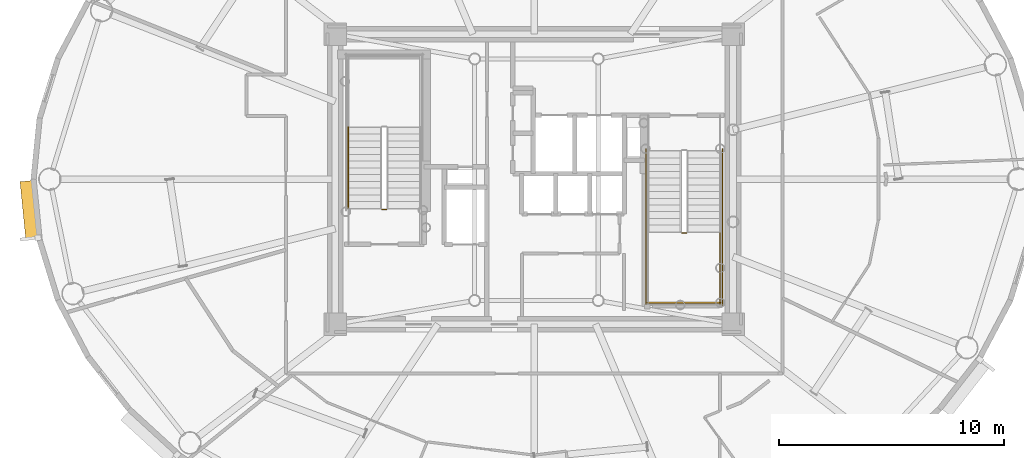
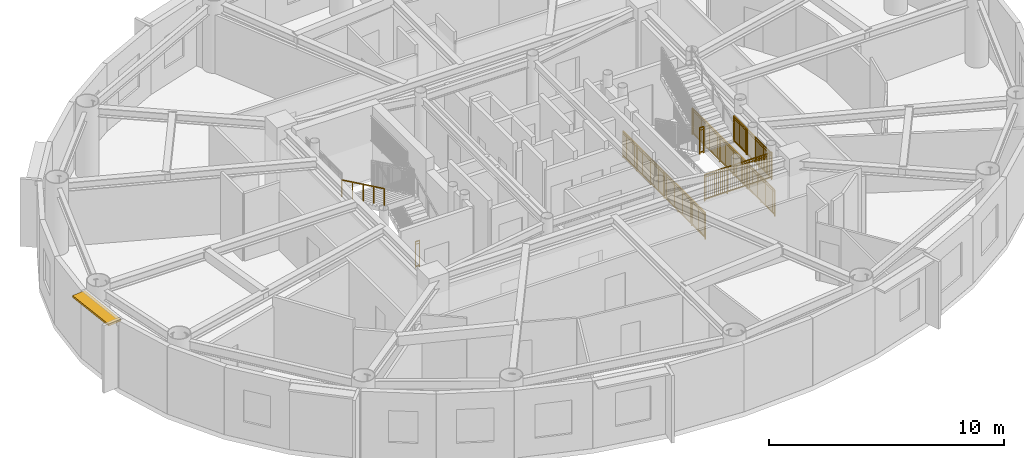
# One storey, part 12 of 16: 7 railings, 1 shading device.
"""IFC4 building model written with IfcOpenShell, lengths in metres."""

from ifc_helpers import new_model, si_unit, direction, frame, origin, origin_2d, place, context, subcontext, project, spatial, rectangle, extrude, source, transform, mapped, material, layer, layer_set, type_object, element, save


model = new_model("IFC4")

# Units and contexts
model_context = context("Model", 3, precision=1e-05, world=origin(), true_north=direction((0.0, 1.0)))
body_context = subcontext(model_context, "Body", "Model", "MODEL_VIEW")
ifc_project = project(units=[si_unit("LENGTHUNIT", "METRE"), si_unit("AREAUNIT", "SQUARE_METRE"), si_unit("VOLUMEUNIT", "CUBIC_METRE"), si_unit("PLANEANGLEUNIT", "RADIAN"), si_unit("MASSUNIT", "GRAM", prefix="KILO")], contexts=[model_context])

# Site, building, storey
site_placement = place(None, origin())
site = spatial("IfcSite", under=ifc_project, at=site_placement, CompositionType="ELEMENT")
building_placement = place(site_placement, origin())
building = spatial("IfcBuilding", under=site, at=building_placement, Name="Linh Dai School and Residence Tower", CompositionType="ELEMENT")
storey_placement = place(building_placement, frame((0.0, 0.0, 306.75)))
storey = spatial("IfcBuildingStorey", under=building, at=storey_placement, Name="L76", CompositionType="ELEMENT", Elevation=306.75)

# Shading device
ifc_material_1 = material(Name="Terracotta Ceramic Sunshade", Category="masonry")
ifc_layer = layer(ifc_material_1, 0.10009765625)
ifc_layer_set = layer_set([ifc_layer], Name="Terracotta Ceramic Sunshade")
shading_device_type = type_object("IfcShadingDeviceType", Name="SHD-TC-650", PredefinedType="USERDEFINED", material=ifc_layer_set)
shared_shape_1 = source(origin(), body_context, "Body", "SweptSolid", [
    extrude(rectangle(XDim=2.62353515625, YDim=0.64990234375, at=origin_2d()), origin(), (0.0, 0.0, 1.0), 0.10009765625),
])
shading_device_placement = place(storey_placement, frame((13.578125, 25.612060546875, 3.3798828125), z_axis=(0.0, 0.0, 1.0), x_axis=(-0.100008034283, 0.994986629598, 0.0)))
element("IfcShadingDevice", 1, at=shading_device_placement, inside=storey, type_object=shading_device_type, Name="L76 Terracotta Horizontal Sunshade Band 21", ObjectType="SUNSHADE", PredefinedType="USERDEFINED", context=body_context, shape_type="MappedRepresentation", body=[
    mapped(shared_shape_1, transform((0.0, 0.0, 0.0), x_axis=(1.0, 0.0, 0.0), y_axis=(0.0, 1.0, 0.0), z_axis=(0.0, 0.0, 1.0), scale=1.0)),
])

# Railings
ifc_material_2 = material(Name="Structural Steel S355JR", Category="steel")
railing_type_1 = type_object("IfcRailingType", Name="RL-ST-GUARD-1400", PredefinedType="GUARDRAIL", material=ifc_material_2)
shared_shape_2 = source(origin(), body_context, "Body", "SweptSolid", [
    extrude(rectangle(XDim=0.048095703125, YDim=0.048095703125, at=origin_2d()), frame((0.0, 0.0, 1.3759765625), z_axis=(-1.0, 0.0, 0.0), x_axis=(0.0, -1.0, 0.0)), (0.0, 0.0, 1.0), 0.199951171875),
    extrude(rectangle(XDim=0.048095703125, YDim=0.048095703125, at=origin_2d()), frame((0.0, 0.0, 0.10009765625), z_axis=(-1.0, 0.0, 0.0), x_axis=(0.0, -1.0, 0.0)), (0.0, 0.0, 1.0), 0.199951171875),
    extrude(rectangle(XDim=0.030029296875, YDim=0.030029296875, at=origin_2d()), frame((0.0, 0.0, 1.239990234375), z_axis=(-1.0, 0.0, 0.0), x_axis=(0.0, -1.0, 0.0)), (0.0, 0.0, 1.0), 0.199951171875),
    extrude(rectangle(XDim=0.0419921875, YDim=0.0419921875, at=origin_2d()), origin(), (0.0, 0.0, 1.0), 1.3759765625),
    extrude(rectangle(XDim=0.0419921875, YDim=0.0419921875, at=origin_2d()), frame((-0.199951171875, 0.0, 0.0)), (0.0, 0.0, 1.0), 1.3759765625),
])
railing_1_placement = place(storey_placement, frame((29.429931640625, 25.64990234375, 0.0)))
element("IfcRailing", 2, at=railing_1_placement, inside=storey, type_object=railing_type_1, Name="L76 ST1 stair guard 7", PredefinedType="GUARDRAIL", context=body_context, shape_type="MappedRepresentation", body=[
    mapped(shared_shape_2, transform((0.0, 0.0, 0.0), x_axis=(1.0, 0.0, 0.0), y_axis=(0.0, 1.0, 0.0), z_axis=(0.0, 0.0, 1.0), scale=1.0)),
])
ifc_material_3 = material(Name="Brushed Stainless Steel Handrail", Category="steel")
railing_type_2 = type_object("IfcRailingType", Name="RL-ST-HANDRAIL-900", PredefinedType="HANDRAIL", material=ifc_material_3)
shared_shape_3 = source(origin(), body_context, "Body", "SweptSolid", [
    extrude(rectangle(XDim=0.048095703125, YDim=0.048095703125, at=origin_2d()), frame((0.0, 0.0, 0.8759765625), z_axis=(0.0, -0.901262522062, 0.433273431364), x_axis=(1.0, 0.0, 0.0)), (0.0, 0.0, 1.0), 3.994384765625),
    extrude(rectangle(XDim=0.0419921875, YDim=0.0419921875, at=origin_2d()), origin(), (0.0, 0.0, 1.0), 0.8759765625),
    extrude(rectangle(XDim=0.0419921875, YDim=0.0419921875, at=origin_2d()), frame((0.0, -0.89990234375, 0.4326171875)), (0.0, 0.0, 1.0), 0.8759765625),
    extrude(rectangle(XDim=0.0419921875, YDim=0.0419921875, at=origin_2d()), frame((0.0, -1.800048828125, 0.865234375)), (0.0, 0.0, 1.0), 0.8759765625),
    extrude(rectangle(XDim=0.0419921875, YDim=0.0419921875, at=origin_2d()), frame((0.0, -2.7001953125, 1.298095703125)), (0.0, 0.0, 1.0), 0.8759765625),
    extrude(rectangle(XDim=0.0419921875, YDim=0.0419921875, at=origin_2d()), frame((0.0, -3.60009765625, 1.730712890625)), (0.0, 0.0, 1.0), 0.8759765625),
])
railing_2_placement = place(storey_placement, frame((27.72998046875, 29.300048828125, 2.019287109375)))
element("IfcRailing", 3, at=railing_2_placement, inside=storey, type_object=railing_type_2, Name="L76 ST1 stair handrail 2", PredefinedType="HANDRAIL", context=body_context, shape_type="MappedRepresentation", body=[
    mapped(shared_shape_3, transform((0.0, 0.0, 0.0), x_axis=(1.0, 0.0, 0.0), y_axis=(0.0, 1.0, 0.0), z_axis=(0.0, 0.0, 1.0), scale=1.0)),
])
shared_shape_4 = source(origin(), body_context, "Body", "SweptSolid", [
    extrude(rectangle(XDim=0.048095703125, YDim=0.048095703125, at=origin_2d()), frame((0.0, 0.0, 1.3759765625), z_axis=(1.0, 0.0, 0.0), x_axis=(0.0, 1.0, 0.0)), (0.0, 0.0, 1.0), 0.199951171875),
    extrude(rectangle(XDim=0.048095703125, YDim=0.048095703125, at=origin_2d()), frame((0.0, 0.0, 0.10009765625), z_axis=(1.0, 0.0, 0.0), x_axis=(0.0, 1.0, 0.0)), (0.0, 0.0, 1.0), 0.199951171875),
    extrude(rectangle(XDim=0.030029296875, YDim=0.030029296875, at=origin_2d()), frame((0.0, 0.0, 1.239990234375), z_axis=(1.0, 0.0, 0.0), x_axis=(0.0, 1.0, 0.0)), (0.0, 0.0, 1.0), 0.199951171875),
    extrude(rectangle(XDim=0.0419921875, YDim=0.0419921875, at=origin_2d()), origin(), (0.0, 0.0, 1.0), 1.3759765625),
    extrude(rectangle(XDim=0.0419921875, YDim=0.0419921875, at=origin_2d()), frame((0.199951171875, 0.0, 0.0)), (0.0, 0.0, 1.0), 1.3759765625),
])
railing_3_placement = place(storey_placement, frame((42.570068359375, 24.60009765625, 1.875)))
element("IfcRailing", 4, at=railing_3_placement, inside=storey, type_object=railing_type_1, Name="L76 ST2 stair guard 2", PredefinedType="GUARDRAIL", context=body_context, shape_type="MappedRepresentation", body=[
    mapped(shared_shape_4, transform((0.0, 0.0, 0.0), x_axis=(1.0, 0.0, 0.0), y_axis=(0.0, 1.0, 0.0), z_axis=(0.0, 0.0, 1.0), scale=1.0)),
])
shared_shape_5 = source(origin(), body_context, "Body", "SweptSolid", [
    extrude(rectangle(XDim=0.048095703125, YDim=0.048095703125, at=origin_2d()), frame((0.0, 0.0, 1.3759765625), z_axis=(1.0, 0.0, 0.0), x_axis=(0.0, 1.0, 0.0)), (0.0, 0.0, 1.0), 3.300048828125),
    extrude(rectangle(XDim=0.048095703125, YDim=0.048095703125, at=origin_2d()), frame((0.0, 0.0, 0.10009765625), z_axis=(1.0, 0.0, 0.0), x_axis=(0.0, 1.0, 0.0)), (0.0, 0.0, 1.0), 3.300048828125),
    extrude(rectangle(XDim=0.030029296875, YDim=0.030029296875, at=origin_2d()), frame((0.0, 0.0, 1.239990234375), z_axis=(1.0, 0.0, 0.0), x_axis=(0.0, 1.0, 0.0)), (0.0, 0.0, 1.0), 3.300048828125),
    extrude(rectangle(XDim=0.02001953125, YDim=0.02001953125, at=origin_2d()), frame((0.09716796875, 0.0, 0.10009765625)), (0.0, 0.0, 1.0), 1.251708984375),
    extrude(rectangle(XDim=0.02001953125, YDim=0.02001953125, at=origin_2d()), frame((0.194091796875, 0.0, 0.10009765625)), (0.0, 0.0, 1.0), 1.251708984375),
    extrude(rectangle(XDim=0.02001953125, YDim=0.02001953125, at=origin_2d()), frame((0.291259765625, 0.0, 0.10009765625)), (0.0, 0.0, 1.0), 1.251708984375),
    extrude(rectangle(XDim=0.02001953125, YDim=0.02001953125, at=origin_2d()), frame((0.38818359375, 0.0, 0.10009765625)), (0.0, 0.0, 1.0), 1.251708984375),
    extrude(rectangle(XDim=0.02001953125, YDim=0.02001953125, at=origin_2d()), frame((0.4853515625, 0.0, 0.10009765625)), (0.0, 0.0, 1.0), 1.251708984375),
    extrude(rectangle(XDim=0.02001953125, YDim=0.02001953125, at=origin_2d()), frame((0.582275390625, 0.0, 0.10009765625)), (0.0, 0.0, 1.0), 1.251708984375),
    extrude(rectangle(XDim=0.02001953125, YDim=0.02001953125, at=origin_2d()), frame((0.679443359375, 0.0, 0.10009765625)), (0.0, 0.0, 1.0), 1.251708984375),
    extrude(rectangle(XDim=0.02001953125, YDim=0.02001953125, at=origin_2d()), frame((0.7763671875, 0.0, 0.10009765625)), (0.0, 0.0, 1.0), 1.251708984375),
    extrude(rectangle(XDim=0.02001953125, YDim=0.02001953125, at=origin_2d()), frame((0.87353515625, 0.0, 0.10009765625)), (0.0, 0.0, 1.0), 1.251708984375),
    extrude(rectangle(XDim=0.02001953125, YDim=0.02001953125, at=origin_2d()), frame((0.970703125, 0.0, 0.10009765625)), (0.0, 0.0, 1.0), 1.251708984375),
    extrude(rectangle(XDim=0.02001953125, YDim=0.02001953125, at=origin_2d()), frame((1.164794921875, 0.0, 0.10009765625)), (0.0, 0.0, 1.0), 1.251708984375),
    extrude(rectangle(XDim=0.02001953125, YDim=0.02001953125, at=origin_2d()), frame((1.26171875, 0.0, 0.10009765625)), (0.0, 0.0, 1.0), 1.251708984375),
    extrude(rectangle(XDim=0.02001953125, YDim=0.02001953125, at=origin_2d()), frame((1.35888671875, 0.0, 0.10009765625)), (0.0, 0.0, 1.0), 1.251708984375),
    extrude(rectangle(XDim=0.02001953125, YDim=0.02001953125, at=origin_2d()), frame((1.455810546875, 0.0, 0.10009765625)), (0.0, 0.0, 1.0), 1.251708984375),
    extrude(rectangle(XDim=0.02001953125, YDim=0.02001953125, at=origin_2d()), frame((1.552978515625, 0.0, 0.10009765625)), (0.0, 0.0, 1.0), 1.251708984375),
    extrude(rectangle(XDim=0.02001953125, YDim=0.02001953125, at=origin_2d()), frame((1.64990234375, 0.0, 0.10009765625)), (0.0, 0.0, 1.0), 1.251708984375),
    extrude(rectangle(XDim=0.02001953125, YDim=0.02001953125, at=origin_2d()), frame((1.7470703125, 0.0, 0.10009765625)), (0.0, 0.0, 1.0), 1.251708984375),
    extrude(rectangle(XDim=0.02001953125, YDim=0.02001953125, at=origin_2d()), frame((1.84423828125, 0.0, 0.10009765625)), (0.0, 0.0, 1.0), 1.251708984375),
    extrude(rectangle(XDim=0.02001953125, YDim=0.02001953125, at=origin_2d()), frame((1.941162109375, 0.0, 0.10009765625)), (0.0, 0.0, 1.0), 1.251708984375),
    extrude(rectangle(XDim=0.02001953125, YDim=0.02001953125, at=origin_2d()), frame((2.038330078125, 0.0, 0.10009765625)), (0.0, 0.0, 1.0), 1.251708984375),
    extrude(rectangle(XDim=0.02001953125, YDim=0.02001953125, at=origin_2d()), frame((2.13525390625, 0.0, 0.10009765625)), (0.0, 0.0, 1.0), 1.251708984375),
    extrude(rectangle(XDim=0.02001953125, YDim=0.02001953125, at=origin_2d()), frame((2.329345703125, 0.0, 0.10009765625)), (0.0, 0.0, 1.0), 1.251708984375),
    extrude(rectangle(XDim=0.02001953125, YDim=0.02001953125, at=origin_2d()), frame((2.426513671875, 0.0, 0.10009765625)), (0.0, 0.0, 1.0), 1.251708984375),
    extrude(rectangle(XDim=0.02001953125, YDim=0.02001953125, at=origin_2d()), frame((2.523681640625, 0.0, 0.10009765625)), (0.0, 0.0, 1.0), 1.251708984375),
    extrude(rectangle(XDim=0.02001953125, YDim=0.02001953125, at=origin_2d()), frame((2.62060546875, 0.0, 0.10009765625)), (0.0, 0.0, 1.0), 1.251708984375),
    extrude(rectangle(XDim=0.02001953125, YDim=0.02001953125, at=origin_2d()), frame((2.7177734375, 0.0, 0.10009765625)), (0.0, 0.0, 1.0), 1.251708984375),
    extrude(rectangle(XDim=0.02001953125, YDim=0.02001953125, at=origin_2d()), frame((2.814697265625, 0.0, 0.10009765625)), (0.0, 0.0, 1.0), 1.251708984375),
    extrude(rectangle(XDim=0.02001953125, YDim=0.02001953125, at=origin_2d()), frame((2.911865234375, 0.0, 0.10009765625)), (0.0, 0.0, 1.0), 1.251708984375),
    extrude(rectangle(XDim=0.02001953125, YDim=0.02001953125, at=origin_2d()), frame((3.0087890625, 0.0, 0.10009765625)), (0.0, 0.0, 1.0), 1.251708984375),
    extrude(rectangle(XDim=0.02001953125, YDim=0.02001953125, at=origin_2d()), frame((3.10595703125, 0.0, 0.10009765625)), (0.0, 0.0, 1.0), 1.251708984375),
    extrude(rectangle(XDim=0.02001953125, YDim=0.02001953125, at=origin_2d()), frame((3.202880859375, 0.0, 0.10009765625)), (0.0, 0.0, 1.0), 1.251708984375),
    extrude(rectangle(XDim=0.0419921875, YDim=0.0419921875, at=origin_2d()), origin(), (0.0, 0.0, 1.0), 1.3759765625),
    extrude(rectangle(XDim=0.0419921875, YDim=0.0419921875, at=origin_2d()), frame((1.10009765625, 0.0, 0.0)), (0.0, 0.0, 1.0), 1.3759765625),
    extrude(rectangle(XDim=0.0419921875, YDim=0.0419921875, at=origin_2d()), frame((2.199951171875, 0.0, 0.0)), (0.0, 0.0, 1.0), 1.3759765625),
    extrude(rectangle(XDim=0.0419921875, YDim=0.0419921875, at=origin_2d()), frame((3.300048828125, 0.0, 0.0)), (0.0, 0.0, 1.0), 1.3759765625),
])
railing_4_placement = place(storey_placement, frame((41.02001953125, 21.5, 1.875)))
element("IfcRailing", 5, at=railing_4_placement, inside=storey, type_object=railing_type_1, Name="L76 ST2 stair guard 5", PredefinedType="GUARDRAIL", context=body_context, shape_type="MappedRepresentation", body=[
    mapped(shared_shape_5, transform((0.0, 0.0, 0.0), x_axis=(1.0, 0.0, 0.0), y_axis=(0.0, 1.0, 0.0), z_axis=(0.0, 0.0, 1.0), scale=1.0)),
])
shared_shape_6 = source(origin(), body_context, "Body", "SweptSolid", [
    extrude(rectangle(XDim=0.048095703125, YDim=0.048095703125, at=origin_2d()), frame((0.0, 0.0, 1.3759765625), z_axis=(0.0, -1.0, 0.0), x_axis=(1.0, 0.0, 0.0)), (0.0, 0.0, 1.0), 7.0),
    extrude(rectangle(XDim=0.048095703125, YDim=0.048095703125, at=origin_2d()), frame((0.0, 0.0, 0.10009765625), z_axis=(0.0, -1.0, 0.0), x_axis=(1.0, 0.0, 0.0)), (0.0, 0.0, 1.0), 7.0),
    extrude(rectangle(XDim=0.030029296875, YDim=0.030029296875, at=origin_2d()), frame((0.0, 0.0, 1.239990234375), z_axis=(0.0, -1.0, 0.0), x_axis=(1.0, 0.0, 0.0)), (0.0, 0.0, 1.0), 7.0),
    extrude(rectangle(XDim=0.02001953125, YDim=0.02001953125, at=origin_2d()), frame((0.0, -0.09716796875, 0.10009765625)), (0.0, 0.0, 1.0), 1.251708984375),
    extrude(rectangle(XDim=0.02001953125, YDim=0.02001953125, at=origin_2d()), frame((0.0, -0.1943359375, 0.10009765625)), (0.0, 0.0, 1.0), 1.251708984375),
    extrude(rectangle(XDim=0.02001953125, YDim=0.02001953125, at=origin_2d()), frame((0.0, -0.291748046875, 0.10009765625)), (0.0, 0.0, 1.0), 1.251708984375),
    extrude(rectangle(XDim=0.02001953125, YDim=0.02001953125, at=origin_2d()), frame((0.0, -0.388916015625, 0.10009765625)), (0.0, 0.0, 1.0), 1.251708984375),
    extrude(rectangle(XDim=0.02001953125, YDim=0.02001953125, at=origin_2d()), frame((0.0, -0.486083984375, 0.10009765625)), (0.0, 0.0, 1.0), 1.251708984375),
    extrude(rectangle(XDim=0.02001953125, YDim=0.02001953125, at=origin_2d()), frame((0.0, -0.583251953125, 0.10009765625)), (0.0, 0.0, 1.0), 1.251708984375),
    extrude(rectangle(XDim=0.02001953125, YDim=0.02001953125, at=origin_2d()), frame((0.0, -0.6806640625, 0.10009765625)), (0.0, 0.0, 1.0), 1.251708984375),
    extrude(rectangle(XDim=0.02001953125, YDim=0.02001953125, at=origin_2d()), frame((0.0, -0.77783203125, 0.10009765625)), (0.0, 0.0, 1.0), 1.251708984375),
    extrude(rectangle(XDim=0.02001953125, YDim=0.02001953125, at=origin_2d()), frame((0.0, -0.875, 0.10009765625)), (0.0, 0.0, 1.0), 1.251708984375),
    extrude(rectangle(XDim=0.02001953125, YDim=0.02001953125, at=origin_2d()), frame((0.0, -0.97216796875, 0.10009765625)), (0.0, 0.0, 1.0), 1.251708984375),
    extrude(rectangle(XDim=0.02001953125, YDim=0.02001953125, at=origin_2d()), frame((0.0, -1.0693359375, 0.10009765625)), (0.0, 0.0, 1.0), 1.251708984375),
    extrude(rectangle(XDim=0.02001953125, YDim=0.02001953125, at=origin_2d()), frame((0.0, -1.263916015625, 0.10009765625)), (0.0, 0.0, 1.0), 1.251708984375),
    extrude(rectangle(XDim=0.02001953125, YDim=0.02001953125, at=origin_2d()), frame((0.0, -1.361083984375, 0.10009765625)), (0.0, 0.0, 1.0), 1.251708984375),
    extrude(rectangle(XDim=0.02001953125, YDim=0.02001953125, at=origin_2d()), frame((0.0, -1.458251953125, 0.10009765625)), (0.0, 0.0, 1.0), 1.251708984375),
    extrude(rectangle(XDim=0.02001953125, YDim=0.02001953125, at=origin_2d()), frame((0.0, -1.5556640625, 0.10009765625)), (0.0, 0.0, 1.0), 1.251708984375),
    extrude(rectangle(XDim=0.02001953125, YDim=0.02001953125, at=origin_2d()), frame((0.0, -1.65283203125, 0.10009765625)), (0.0, 0.0, 1.0), 1.251708984375),
    extrude(rectangle(XDim=0.02001953125, YDim=0.02001953125, at=origin_2d()), frame((0.0, -1.75, 0.10009765625)), (0.0, 0.0, 1.0), 1.251708984375),
    extrude(rectangle(XDim=0.02001953125, YDim=0.02001953125, at=origin_2d()), frame((0.0, -1.84716796875, 0.10009765625)), (0.0, 0.0, 1.0), 1.251708984375),
    extrude(rectangle(XDim=0.02001953125, YDim=0.02001953125, at=origin_2d()), frame((0.0, -1.9443359375, 0.10009765625)), (0.0, 0.0, 1.0), 1.251708984375),
    extrude(rectangle(XDim=0.02001953125, YDim=0.02001953125, at=origin_2d()), frame((0.0, -2.041748046875, 0.10009765625)), (0.0, 0.0, 1.0), 1.251708984375),
    extrude(rectangle(XDim=0.02001953125, YDim=0.02001953125, at=origin_2d()), frame((0.0, -2.138916015625, 0.10009765625)), (0.0, 0.0, 1.0), 1.251708984375),
    extrude(rectangle(XDim=0.02001953125, YDim=0.02001953125, at=origin_2d()), frame((0.0, -2.236083984375, 0.10009765625)), (0.0, 0.0, 1.0), 1.251708984375),
    extrude(rectangle(XDim=0.02001953125, YDim=0.02001953125, at=origin_2d()), frame((0.0, -2.4306640625, 0.10009765625)), (0.0, 0.0, 1.0), 1.251708984375),
    extrude(rectangle(XDim=0.02001953125, YDim=0.02001953125, at=origin_2d()), frame((0.0, -2.52783203125, 0.10009765625)), (0.0, 0.0, 1.0), 1.251708984375),
    extrude(rectangle(XDim=0.02001953125, YDim=0.02001953125, at=origin_2d()), frame((0.0, -2.625, 0.10009765625)), (0.0, 0.0, 1.0), 1.251708984375),
    extrude(rectangle(XDim=0.02001953125, YDim=0.02001953125, at=origin_2d()), frame((0.0, -2.72216796875, 0.10009765625)), (0.0, 0.0, 1.0), 1.251708984375),
    extrude(rectangle(XDim=0.02001953125, YDim=0.02001953125, at=origin_2d()), frame((0.0, -2.8193359375, 0.10009765625)), (0.0, 0.0, 1.0), 1.251708984375),
    extrude(rectangle(XDim=0.02001953125, YDim=0.02001953125, at=origin_2d()), frame((0.0, -2.916748046875, 0.10009765625)), (0.0, 0.0, 1.0), 1.251708984375),
    extrude(rectangle(XDim=0.02001953125, YDim=0.02001953125, at=origin_2d()), frame((0.0, -3.013916015625, 0.10009765625)), (0.0, 0.0, 1.0), 1.251708984375),
    extrude(rectangle(XDim=0.02001953125, YDim=0.02001953125, at=origin_2d()), frame((0.0, -3.111083984375, 0.10009765625)), (0.0, 0.0, 1.0), 1.251708984375),
    extrude(rectangle(XDim=0.02001953125, YDim=0.02001953125, at=origin_2d()), frame((0.0, -3.208251953125, 0.10009765625)), (0.0, 0.0, 1.0), 1.251708984375),
    extrude(rectangle(XDim=0.02001953125, YDim=0.02001953125, at=origin_2d()), frame((0.0, -3.3056640625, 0.10009765625)), (0.0, 0.0, 1.0), 1.251708984375),
    extrude(rectangle(XDim=0.02001953125, YDim=0.02001953125, at=origin_2d()), frame((0.0, -3.40283203125, 0.10009765625)), (0.0, 0.0, 1.0), 1.251708984375),
    extrude(rectangle(XDim=0.02001953125, YDim=0.02001953125, at=origin_2d()), frame((0.0, -3.59716796875, 0.10009765625)), (0.0, 0.0, 1.0), 1.251708984375),
    extrude(rectangle(XDim=0.02001953125, YDim=0.02001953125, at=origin_2d()), frame((0.0, -3.6943359375, 0.10009765625)), (0.0, 0.0, 1.0), 1.251708984375),
    extrude(rectangle(XDim=0.02001953125, YDim=0.02001953125, at=origin_2d()), frame((0.0, -3.791748046875, 0.10009765625)), (0.0, 0.0, 1.0), 1.251708984375),
    extrude(rectangle(XDim=0.02001953125, YDim=0.02001953125, at=origin_2d()), frame((0.0, -3.888916015625, 0.10009765625)), (0.0, 0.0, 1.0), 1.251708984375),
    extrude(rectangle(XDim=0.02001953125, YDim=0.02001953125, at=origin_2d()), frame((0.0, -3.986083984375, 0.10009765625)), (0.0, 0.0, 1.0), 1.251708984375),
    extrude(rectangle(XDim=0.02001953125, YDim=0.02001953125, at=origin_2d()), frame((0.0, -4.083251953125, 0.10009765625)), (0.0, 0.0, 1.0), 1.251708984375),
    extrude(rectangle(XDim=0.02001953125, YDim=0.02001953125, at=origin_2d()), frame((0.0, -4.1806640625, 0.10009765625)), (0.0, 0.0, 1.0), 1.251708984375),
    extrude(rectangle(XDim=0.02001953125, YDim=0.02001953125, at=origin_2d()), frame((0.0, -4.27783203125, 0.10009765625)), (0.0, 0.0, 1.0), 1.251708984375),
    extrude(rectangle(XDim=0.02001953125, YDim=0.02001953125, at=origin_2d()), frame((0.0, -4.375, 0.10009765625)), (0.0, 0.0, 1.0), 1.251708984375),
    extrude(rectangle(XDim=0.02001953125, YDim=0.02001953125, at=origin_2d()), frame((0.0, -4.47216796875, 0.10009765625)), (0.0, 0.0, 1.0), 1.251708984375),
    extrude(rectangle(XDim=0.02001953125, YDim=0.02001953125, at=origin_2d()), frame((0.0, -4.5693359375, 0.10009765625)), (0.0, 0.0, 1.0), 1.251708984375),
    extrude(rectangle(XDim=0.02001953125, YDim=0.02001953125, at=origin_2d()), frame((0.0, -4.763916015625, 0.10009765625)), (0.0, 0.0, 1.0), 1.251708984375),
    extrude(rectangle(XDim=0.02001953125, YDim=0.02001953125, at=origin_2d()), frame((0.0, -4.861083984375, 0.10009765625)), (0.0, 0.0, 1.0), 1.251708984375),
    extrude(rectangle(XDim=0.02001953125, YDim=0.02001953125, at=origin_2d()), frame((0.0, -4.958251953125, 0.10009765625)), (0.0, 0.0, 1.0), 1.251708984375),
    extrude(rectangle(XDim=0.02001953125, YDim=0.02001953125, at=origin_2d()), frame((0.0, -5.0556640625, 0.10009765625)), (0.0, 0.0, 1.0), 1.251708984375),
    extrude(rectangle(XDim=0.02001953125, YDim=0.02001953125, at=origin_2d()), frame((0.0, -5.15283203125, 0.10009765625)), (0.0, 0.0, 1.0), 1.251708984375),
    extrude(rectangle(XDim=0.02001953125, YDim=0.02001953125, at=origin_2d()), frame((0.0, -5.25, 0.10009765625)), (0.0, 0.0, 1.0), 1.251708984375),
    extrude(rectangle(XDim=0.02001953125, YDim=0.02001953125, at=origin_2d()), frame((0.0, -5.34716796875, 0.10009765625)), (0.0, 0.0, 1.0), 1.251708984375),
    extrude(rectangle(XDim=0.02001953125, YDim=0.02001953125, at=origin_2d()), frame((0.0, -5.4443359375, 0.10009765625)), (0.0, 0.0, 1.0), 1.251708984375),
    extrude(rectangle(XDim=0.02001953125, YDim=0.02001953125, at=origin_2d()), frame((0.0, -5.541748046875, 0.10009765625)), (0.0, 0.0, 1.0), 1.251708984375),
    extrude(rectangle(XDim=0.02001953125, YDim=0.02001953125, at=origin_2d()), frame((0.0, -5.638916015625, 0.10009765625)), (0.0, 0.0, 1.0), 1.251708984375),
    extrude(rectangle(XDim=0.02001953125, YDim=0.02001953125, at=origin_2d()), frame((0.0, -5.736083984375, 0.10009765625)), (0.0, 0.0, 1.0), 1.251708984375),
    extrude(rectangle(XDim=0.02001953125, YDim=0.02001953125, at=origin_2d()), frame((0.0, -5.9306640625, 0.10009765625)), (0.0, 0.0, 1.0), 1.251708984375),
    extrude(rectangle(XDim=0.02001953125, YDim=0.02001953125, at=origin_2d()), frame((0.0, -6.02783203125, 0.10009765625)), (0.0, 0.0, 1.0), 1.251708984375),
    extrude(rectangle(XDim=0.02001953125, YDim=0.02001953125, at=origin_2d()), frame((0.0, -6.125, 0.10009765625)), (0.0, 0.0, 1.0), 1.251708984375),
    extrude(rectangle(XDim=0.02001953125, YDim=0.02001953125, at=origin_2d()), frame((0.0, -6.22216796875, 0.10009765625)), (0.0, 0.0, 1.0), 1.251708984375),
    extrude(rectangle(XDim=0.02001953125, YDim=0.02001953125, at=origin_2d()), frame((0.0, -6.3193359375, 0.10009765625)), (0.0, 0.0, 1.0), 1.251708984375),
    extrude(rectangle(XDim=0.02001953125, YDim=0.02001953125, at=origin_2d()), frame((0.0, -6.416748046875, 0.10009765625)), (0.0, 0.0, 1.0), 1.251708984375),
    extrude(rectangle(XDim=0.02001953125, YDim=0.02001953125, at=origin_2d()), frame((0.0, -6.513916015625, 0.10009765625)), (0.0, 0.0, 1.0), 1.251708984375),
    extrude(rectangle(XDim=0.02001953125, YDim=0.02001953125, at=origin_2d()), frame((0.0, -6.611083984375, 0.10009765625)), (0.0, 0.0, 1.0), 1.251708984375),
    extrude(rectangle(XDim=0.02001953125, YDim=0.02001953125, at=origin_2d()), frame((0.0, -6.708251953125, 0.10009765625)), (0.0, 0.0, 1.0), 1.251708984375),
    extrude(rectangle(XDim=0.02001953125, YDim=0.02001953125, at=origin_2d()), frame((0.0, -6.8056640625, 0.10009765625)), (0.0, 0.0, 1.0), 1.251708984375),
    extrude(rectangle(XDim=0.02001953125, YDim=0.02001953125, at=origin_2d()), frame((0.0, -6.90283203125, 0.10009765625)), (0.0, 0.0, 1.0), 1.251708984375),
    extrude(rectangle(XDim=0.0419921875, YDim=0.0419921875, at=origin_2d()), origin(), (0.0, 0.0, 1.0), 1.3759765625),
    extrude(rectangle(XDim=0.0419921875, YDim=0.0419921875, at=origin_2d()), frame((0.0, -1.166748046875, 0.0)), (0.0, 0.0, 1.0), 1.3759765625),
    extrude(rectangle(XDim=0.0419921875, YDim=0.0419921875, at=origin_2d()), frame((0.0, -2.333251953125, 0.0)), (0.0, 0.0, 1.0), 1.3759765625),
    extrude(rectangle(XDim=0.0419921875, YDim=0.0419921875, at=origin_2d()), frame((0.0, -3.5, 0.0)), (0.0, 0.0, 1.0), 1.3759765625),
    extrude(rectangle(XDim=0.0419921875, YDim=0.0419921875, at=origin_2d()), frame((0.0, -4.666748046875, 0.0)), (0.0, 0.0, 1.0), 1.3759765625),
    extrude(rectangle(XDim=0.0419921875, YDim=0.0419921875, at=origin_2d()), frame((0.0, -5.833251953125, 0.0)), (0.0, 0.0, 1.0), 1.3759765625),
    extrude(rectangle(XDim=0.0419921875, YDim=0.0419921875, at=origin_2d()), frame((0.0, -7.0, 0.0)), (0.0, 0.0, 1.0), 1.3759765625),
])
for number, where, name in (
    (6, (40.969970703125, 28.35009765625, 0.0), "L76 ST2 stair guard 10"),
    (7, (44.3701171875, 28.35009765625, 0.0), "L76 ST2 stair guard 11"),
):
    element("IfcRailing", number, at=place(storey_placement, frame(where)), inside=storey, type_object=railing_type_1, Name=name, PredefinedType="GUARDRAIL", context=body_context, shape_type="MappedRepresentation", body=[
        mapped(shared_shape_6, transform((0.0, 0.0, 0.0), x_axis=(1.0, 0.0, 0.0), y_axis=(0.0, 1.0, 0.0), z_axis=(0.0, 0.0, 1.0), scale=1.0)),
    ])
shared_shape_7 = source(origin(), body_context, "Body", "SweptSolid", [
    extrude(rectangle(XDim=0.048095703125, YDim=0.048095703125, at=origin_2d()), frame((0.0, 0.0, 1.3759765625), z_axis=(0.0, -1.0, 0.0), x_axis=(1.0, 0.0, 0.0)), (0.0, 0.0, 1.0), 3.199951171875),
    extrude(rectangle(XDim=0.048095703125, YDim=0.048095703125, at=origin_2d()), frame((0.0, 0.0, 0.10009765625), z_axis=(0.0, -1.0, 0.0), x_axis=(1.0, 0.0, 0.0)), (0.0, 0.0, 1.0), 3.199951171875),
    extrude(rectangle(XDim=0.030029296875, YDim=0.030029296875, at=origin_2d()), frame((0.0, 0.0, 1.239990234375), z_axis=(0.0, -1.0, 0.0), x_axis=(1.0, 0.0, 0.0)), (0.0, 0.0, 1.0), 3.199951171875),
    extrude(rectangle(XDim=0.02001953125, YDim=0.02001953125, at=origin_2d()), frame((0.0, -0.096923828125, 0.10009765625)), (0.0, 0.0, 1.0), 1.251708984375),
    extrude(rectangle(XDim=0.02001953125, YDim=0.02001953125, at=origin_2d()), frame((0.0, -0.19384765625, 0.10009765625)), (0.0, 0.0, 1.0), 1.251708984375),
    extrude(rectangle(XDim=0.02001953125, YDim=0.02001953125, at=origin_2d()), frame((0.0, -0.291015625, 0.10009765625)), (0.0, 0.0, 1.0), 1.251708984375),
    extrude(rectangle(XDim=0.02001953125, YDim=0.02001953125, at=origin_2d()), frame((0.0, -0.387939453125, 0.10009765625)), (0.0, 0.0, 1.0), 1.251708984375),
    extrude(rectangle(XDim=0.02001953125, YDim=0.02001953125, at=origin_2d()), frame((0.0, -0.48486328125, 0.10009765625)), (0.0, 0.0, 1.0), 1.251708984375),
    extrude(rectangle(XDim=0.02001953125, YDim=0.02001953125, at=origin_2d()), frame((0.0, -0.581787109375, 0.10009765625)), (0.0, 0.0, 1.0), 1.251708984375),
    extrude(rectangle(XDim=0.02001953125, YDim=0.02001953125, at=origin_2d()), frame((0.0, -0.6787109375, 0.10009765625)), (0.0, 0.0, 1.0), 1.251708984375),
    extrude(rectangle(XDim=0.02001953125, YDim=0.02001953125, at=origin_2d()), frame((0.0, -0.775634765625, 0.10009765625)), (0.0, 0.0, 1.0), 1.251708984375),
    extrude(rectangle(XDim=0.02001953125, YDim=0.02001953125, at=origin_2d()), frame((0.0, -0.872802734375, 0.10009765625)), (0.0, 0.0, 1.0), 1.251708984375),
    extrude(rectangle(XDim=0.02001953125, YDim=0.02001953125, at=origin_2d()), frame((0.0, -0.9697265625, 0.10009765625)), (0.0, 0.0, 1.0), 1.251708984375),
    extrude(rectangle(XDim=0.02001953125, YDim=0.02001953125, at=origin_2d()), frame((0.0, -1.16357421875, 0.10009765625)), (0.0, 0.0, 1.0), 1.251708984375),
    extrude(rectangle(XDim=0.02001953125, YDim=0.02001953125, at=origin_2d()), frame((0.0, -1.260498046875, 0.10009765625)), (0.0, 0.0, 1.0), 1.251708984375),
    extrude(rectangle(XDim=0.02001953125, YDim=0.02001953125, at=origin_2d()), frame((0.0, -1.357666015625, 0.10009765625)), (0.0, 0.0, 1.0), 1.251708984375),
    extrude(rectangle(XDim=0.02001953125, YDim=0.02001953125, at=origin_2d()), frame((0.0, -1.45458984375, 0.10009765625)), (0.0, 0.0, 1.0), 1.251708984375),
    extrude(rectangle(XDim=0.02001953125, YDim=0.02001953125, at=origin_2d()), frame((0.0, -1.551513671875, 0.10009765625)), (0.0, 0.0, 1.0), 1.251708984375),
    extrude(rectangle(XDim=0.02001953125, YDim=0.02001953125, at=origin_2d()), frame((0.0, -1.6484375, 0.10009765625)), (0.0, 0.0, 1.0), 1.251708984375),
    extrude(rectangle(XDim=0.02001953125, YDim=0.02001953125, at=origin_2d()), frame((0.0, -1.745361328125, 0.10009765625)), (0.0, 0.0, 1.0), 1.251708984375),
    extrude(rectangle(XDim=0.02001953125, YDim=0.02001953125, at=origin_2d()), frame((0.0, -1.84228515625, 0.10009765625)), (0.0, 0.0, 1.0), 1.251708984375),
    extrude(rectangle(XDim=0.02001953125, YDim=0.02001953125, at=origin_2d()), frame((0.0, -1.939453125, 0.10009765625)), (0.0, 0.0, 1.0), 1.251708984375),
    extrude(rectangle(XDim=0.02001953125, YDim=0.02001953125, at=origin_2d()), frame((0.0, -2.036376953125, 0.10009765625)), (0.0, 0.0, 1.0), 1.251708984375),
    extrude(rectangle(XDim=0.02001953125, YDim=0.02001953125, at=origin_2d()), frame((0.0, -2.230224609375, 0.10009765625)), (0.0, 0.0, 1.0), 1.251708984375),
    extrude(rectangle(XDim=0.02001953125, YDim=0.02001953125, at=origin_2d()), frame((0.0, -2.3271484375, 0.10009765625)), (0.0, 0.0, 1.0), 1.251708984375),
    extrude(rectangle(XDim=0.02001953125, YDim=0.02001953125, at=origin_2d()), frame((0.0, -2.42431640625, 0.10009765625)), (0.0, 0.0, 1.0), 1.251708984375),
    extrude(rectangle(XDim=0.02001953125, YDim=0.02001953125, at=origin_2d()), frame((0.0, -2.521240234375, 0.10009765625)), (0.0, 0.0, 1.0), 1.251708984375),
    extrude(rectangle(XDim=0.02001953125, YDim=0.02001953125, at=origin_2d()), frame((0.0, -2.6181640625, 0.10009765625)), (0.0, 0.0, 1.0), 1.251708984375),
    extrude(rectangle(XDim=0.02001953125, YDim=0.02001953125, at=origin_2d()), frame((0.0, -2.715087890625, 0.10009765625)), (0.0, 0.0, 1.0), 1.251708984375),
    extrude(rectangle(XDim=0.02001953125, YDim=0.02001953125, at=origin_2d()), frame((0.0, -2.81201171875, 0.10009765625)), (0.0, 0.0, 1.0), 1.251708984375),
    extrude(rectangle(XDim=0.02001953125, YDim=0.02001953125, at=origin_2d()), frame((0.0, -2.908935546875, 0.10009765625)), (0.0, 0.0, 1.0), 1.251708984375),
    extrude(rectangle(XDim=0.02001953125, YDim=0.02001953125, at=origin_2d()), frame((0.0, -3.006103515625, 0.10009765625)), (0.0, 0.0, 1.0), 1.251708984375),
    extrude(rectangle(XDim=0.02001953125, YDim=0.02001953125, at=origin_2d()), frame((0.0, -3.10302734375, 0.10009765625)), (0.0, 0.0, 1.0), 1.251708984375),
    extrude(rectangle(XDim=0.0419921875, YDim=0.0419921875, at=origin_2d()), origin(), (0.0, 0.0, 1.0), 1.3759765625),
    extrude(rectangle(XDim=0.0419921875, YDim=0.0419921875, at=origin_2d()), frame((0.0, -1.066650390625, 0.0)), (0.0, 0.0, 1.0), 1.3759765625),
    extrude(rectangle(XDim=0.0419921875, YDim=0.0419921875, at=origin_2d()), frame((0.0, -2.13330078125, 0.0)), (0.0, 0.0, 1.0), 1.3759765625),
    extrude(rectangle(XDim=0.0419921875, YDim=0.0419921875, at=origin_2d()), frame((0.0, -3.199951171875, 0.0)), (0.0, 0.0, 1.0), 1.3759765625),
])
railing_5_placement = place(storey_placement, frame((44.27001953125, 24.64990234375, 1.875)))
element("IfcRailing", 8, at=railing_5_placement, inside=storey, type_object=railing_type_1, Name="L76 ST2 stair guard 4", PredefinedType="GUARDRAIL", context=body_context, shape_type="MappedRepresentation", body=[
    mapped(shared_shape_7, transform((0.0, 0.0, 0.0), x_axis=(1.0, 0.0, 0.0), y_axis=(0.0, 1.0, 0.0), z_axis=(0.0, 0.0, 1.0), scale=1.0)),
])

save(model, "model.ifc")
